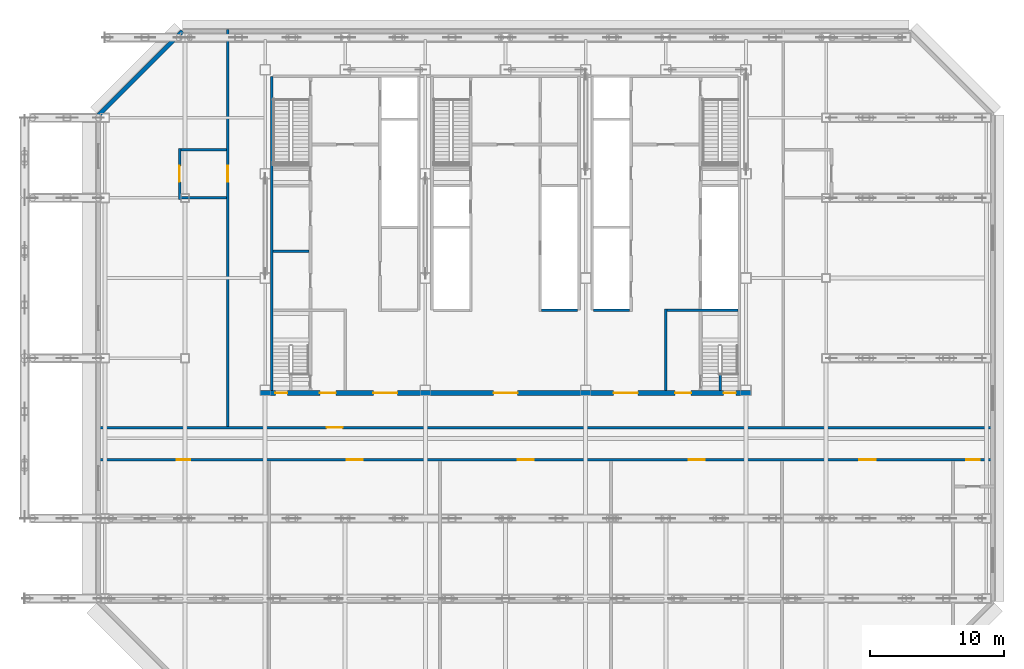
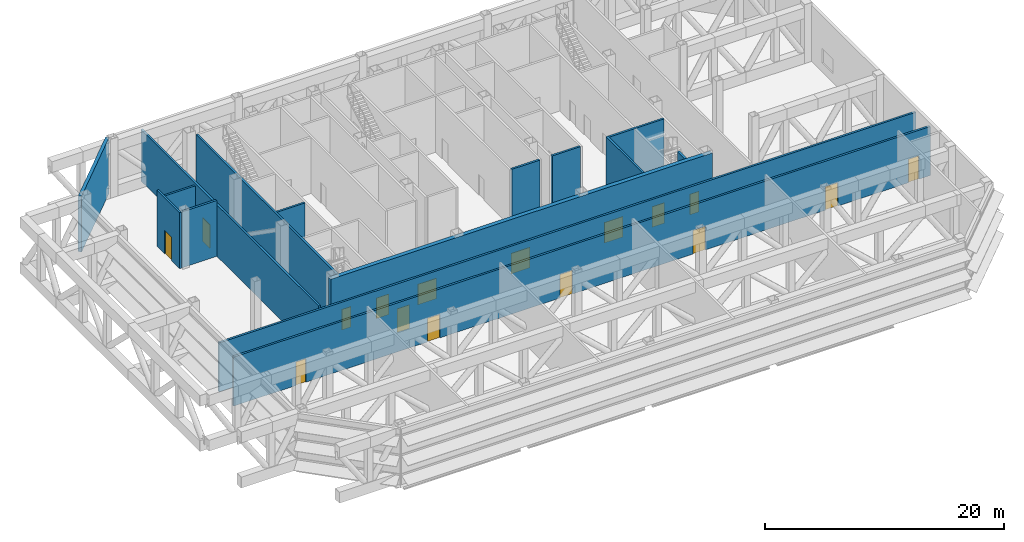
# One storey, part 6 of 17: 16 doors, 15 walls, 16 openings.
"""IFC4 building model written with IfcOpenShell, lengths in metres."""

from ifc_helpers import new_model, si_unit, direction, frame, frame_2d, origin, place, context, subcontext, project, spatial, rectangle, extrude, material, layer, layer_set, type_object, element, fill, save


model = new_model("IFC4")

# Units and contexts
model_context = context("Model", 3, precision=1e-05, world=origin(), true_north=direction((0.0, 1.0)))
body_context = subcontext(model_context, "Body", "Model", "MODEL_VIEW")
ifc_project = project(units=[si_unit("LENGTHUNIT", "METRE"), si_unit("AREAUNIT", "SQUARE_METRE"), si_unit("VOLUMEUNIT", "CUBIC_METRE"), si_unit("PLANEANGLEUNIT", "RADIAN"), si_unit("MASSUNIT", "GRAM", prefix="KILO")], contexts=[model_context])

# Site, building, storey
site_placement = place(None, origin())
site = spatial("IfcSite", under=ifc_project, at=site_placement, CompositionType="ELEMENT")
building_placement = place(site_placement, origin())
building = spatial("IfcBuilding", under=site, at=building_placement, Name="Sorahane Residences", CompositionType="ELEMENT")
storey_placement = place(building_placement, frame((0.0, 0.0, 186.0)))
storey = spatial("IfcBuildingStorey", under=building, at=storey_placement, Name="L43", CompositionType="ELEMENT", Elevation=186.0)

# Wall
ifc_material_1 = material(Name="Concrete C30", Category="concrete")
ifc_layer_1 = layer(ifc_material_1, 0.199951171875)
ifc_layer_set_1 = layer_set([ifc_layer_1], Name="Core face wall 200 EI 180")
wall_type_1 = type_object("IfcWallType", Name="Core face wall 200 EI 180", PredefinedType="SOLIDWALL", material=ifc_layer_set_1)
wall_1_placement = place(storey_placement, frame((6.5, 21.60009765625, 0.0), z_axis=(0.0, 0.0, 1.0), x_axis=(0.0, 1.0, 0.0)))
element("IfcWall", 1, at=wall_1_placement, inside=storey, type_object=wall_type_1, Name="L43 core face wall", PredefinedType="SOLIDWALL", context=body_context, shape_type="SweptSolid", body=[
    extrude(rectangle(XDim=23.5, YDim=0.199951171875, at=frame_2d((11.75, 0.0))), origin(), (0.0, 0.0, 1.0), 5.699951171875),
])

# Wall, opening, door
ifc_material_2 = material(Name="Concrete blockwork C20 wall", Category="masonry")
ifc_layer_2 = layer(ifc_material_2, 0.199951171875)
ifc_layer_set_2 = layer_set([ifc_layer_2], Name="Corridor wall 200 EI 120")
wall_type_2 = type_object("IfcWallType", Name="Corridor wall 200 EI 120", PredefinedType="SOLIDWALL", material=ifc_layer_set_2)
wall_2_placement = place(storey_placement, frame((-6.60009765625, 18.800048828125, 0.0), z_axis=(0.0, 0.0, 1.0), x_axis=(1.0, 0.0, 0.0)))
wall_2 = element("IfcWall", 2, at=wall_2_placement, inside=storey, type_object=wall_type_2, Name="L43 corridor wall", PredefinedType="SOLIDWALL", context=body_context, shape_type="SweptSolid", body=[
    extrude(rectangle(XDim=67.2001953125, YDim=0.199951171875, at=frame_2d((33.60009765625, 0.0))), origin(), (0.0, 0.0, 1.0), 5.0),
])
opening_1_placement = place(wall_2_placement, frame((17.199951171875, 0.0, 0.0)))
opening_1 = element("IfcOpeningElement", 3, at=opening_1_placement, cuts=wall_2, Name="Opening L43-08", PredefinedType="OPENING", context=body_context, shape_type="SweptSolid", body=[
    extrude(rectangle(XDim=1.199951171875, YDim=2.39990234375, at=frame_2d((0.60009765625, 1.199951171875))), frame((0.0, 0.10986328125, 0.0), z_axis=(0.0, -1.0, 0.0), x_axis=(1.0, 0.0, 0.0)), (0.0, 0.0, 1.0), 0.219970703125),
])
ifc_material_3 = material(Name="Steel", Category="steel")
door_type_1 = type_object("IfcDoorType", Name="Lobby door 1200x2400 FD60", OperationType="NOTDEFINED", PredefinedType="DOOR", material=ifc_material_3)
door_1_placement = place(opening_1_placement, frame((1.199951171875, 0.0, 0.0), z_axis=(0.0, 0.0, 1.0), x_axis=(-1.0, 0.0, 0.0)))
door_1 = element("IfcDoor", 4, at=door_1_placement, inside=storey, type_object=door_type_1, Name="Lobby door L43-08", OperationType="SINGLE_SWING_LEFT", OverallHeight=2.39990234375, OverallWidth=1.199951171875, PredefinedType="DOOR", context=body_context, shape_type="SweptSolid", body=[
    extrude(rectangle(XDim=1.199951171875, YDim=2.39990234375, at=frame_2d((0.60009765625, 1.199951171875))), frame((0.0, 0.02490234375, 0.0), z_axis=(0.0, -1.0, 0.0), x_axis=(1.0, 0.0, 0.0)), (0.0, 0.0, 1.0), 0.050048828125),
])
fill(opening_1, door_1)

# Wall
ifc_material_4 = material(Name="Graphite insulated metal-clad wall")
ifc_layer_3 = layer(ifc_material_4, 0.300048828125)
ifc_layer_set_3 = layer_set([ifc_layer_3], Name="External wall insulated metal-clad 300")
wall_type_3 = type_object("IfcWallType", Name="External wall insulated metal-clad 300", PredefinedType="SOLIDWALL", material=ifc_layer_set_3)
wall_3_placement = place(storey_placement, frame((-0.194580078125, 48.469970703125, 0.0), z_axis=(0.0, 0.0, 1.0), x_axis=(-0.707106781187, -0.707106781187, 0.0)))
element("IfcWall", 5, at=wall_3_placement, inside=storey, type_object=wall_type_3, Name="External plant wall L43 NW1", PredefinedType="SOLIDWALL", context=body_context, shape_type="SweptSolid", body=[
    extrude(rectangle(XDim=8.874755859375, YDim=0.300048828125, at=frame_2d((4.4375, 0.0))), origin(), (0.0, 0.0, 1.0), 5.699951171875),
])

# Wall, opening, door
ifc_material_5 = material(Name="Concrete blockwork C20 wall", Category="masonry")
ifc_layer_4 = layer(ifc_material_5, 0.199951171875)
ifc_layer_set_4 = layer_set([ifc_layer_4], Name="Fire wall 200 EI 120")
wall_type_4 = type_object("IfcWallType", Name="Fire wall 200 EI 120", PredefinedType="SOLIDWALL", material=ifc_layer_set_4)
wall_4_placement = place(storey_placement, frame((-0.39990234375, 35.89990234375, 0.0), z_axis=(0.0, 0.0, 1.0), x_axis=(0.0, 1.0, 0.0)))
wall_4 = element("IfcWall", 6, at=wall_4_placement, inside=storey, type_object=wall_type_4, Name="L43 fire wall", PredefinedType="SOLIDWALL", context=body_context, shape_type="SweptSolid", body=[
    extrude(rectangle(XDim=3.800048828125, YDim=0.199951171875, at=frame_2d((1.89990234375, 0.0))), origin(), (0.0, 0.0, 1.0), 5.699951171875),
])
opening_2_placement = place(wall_4_placement, frame((1.300048828125, 0.0, 0.0)))
opening_2 = element("IfcOpeningElement", 7, at=opening_2_placement, cuts=wall_4, Name="Opening L43-11", PredefinedType="OPENING", context=body_context, shape_type="SweptSolid", body=[
    extrude(rectangle(XDim=1.199951171875, YDim=2.39990234375, at=frame_2d((0.60009765625, 1.199951171875))), frame((0.0, 0.10986328125, 0.0), z_axis=(0.0, -1.0, 0.0), x_axis=(1.0, 0.0, 0.0)), (0.0, 0.0, 1.0), 0.219970703125),
])
door_2_placement = place(opening_2_placement, frame((1.199951171875, 0.0, 0.0), z_axis=(0.0, 0.0, 1.0), x_axis=(-1.0, 0.0, 0.0)))
door_2 = element("IfcDoor", 8, at=door_2_placement, inside=storey, type_object=door_type_1, Name="Lobby door L43-11", OperationType="SINGLE_SWING_RIGHT", OverallHeight=2.39990234375, OverallWidth=1.199951171875, PredefinedType="DOOR", context=body_context, shape_type="SweptSolid", body=[
    extrude(rectangle(XDim=1.199951171875, YDim=2.39990234375, at=frame_2d((0.60009765625, 1.199951171875))), frame((0.0, 0.02490234375, 0.0), z_axis=(0.0, -1.0, 0.0), x_axis=(1.0, 0.0, 0.0)), (0.0, 0.0, 1.0), 0.050048828125),
])
fill(opening_2, door_2)

wall_5_placement = place(storey_placement, frame((3.199951171875, 18.89990234375, 0.0), z_axis=(0.0, 0.0, 1.0), x_axis=(0.0, 1.0, 0.0)))
wall_5 = element("IfcWall", 9, at=wall_5_placement, inside=storey, type_object=wall_type_4, Name="L43 fire wall", PredefinedType="SOLIDWALL", context=body_context, shape_type="SweptSolid", body=[
    extrude(rectangle(XDim=29.7001953125, YDim=0.199951171875, at=frame_2d((14.85009765625, 0.0))), origin(), (0.0, 0.0, 1.0), 5.25),
])
opening_3_placement = place(wall_5_placement, frame((18.300048828125, 0.0, 0.0)))
opening_3 = element("IfcOpeningElement", 10, at=opening_3_placement, cuts=wall_5, Name="Opening L43-12", PredefinedType="OPENING", context=body_context, shape_type="SweptSolid", body=[
    extrude(rectangle(XDim=1.199951171875, YDim=2.39990234375, at=frame_2d((0.60009765625, 1.199951171875))), frame((0.0, 0.10986328125, 0.0), z_axis=(0.0, -1.0, 0.0), x_axis=(1.0, 0.0, 0.0)), (0.0, 0.0, 1.0), 0.219970703125),
])
door_3_placement = place(opening_3_placement, frame((1.199951171875, 0.0, 0.0), z_axis=(0.0, 0.0, 1.0), x_axis=(-1.0, 0.0, 0.0)))
door_3 = element("IfcDoor", 11, at=door_3_placement, inside=storey, type_object=door_type_1, Name="Lobby door L43-12", OperationType="SINGLE_SWING_LEFT", OverallHeight=2.39990234375, OverallWidth=1.199951171875, PredefinedType="DOOR", context=body_context, shape_type="SweptSolid", body=[
    extrude(rectangle(XDim=1.199951171875, YDim=2.39990234375, at=frame_2d((0.60009765625, 1.199951171875))), frame((0.0, 0.02490234375, 0.0), z_axis=(0.0, -1.0, 0.0), x_axis=(1.0, 0.0, 0.0)), (0.0, 0.0, 1.0), 0.050048828125),
])
fill(opening_3, door_3)

# Wall, openings, doors
wall_6_placement = place(storey_placement, frame((-6.60009765625, 16.39990234375, 0.0), z_axis=(0.0, 0.0, 1.0), x_axis=(1.0, 0.0, 0.0)))
wall_6 = element("IfcWall", 12, at=wall_6_placement, inside=storey, type_object=wall_type_4, Name="L43 fire wall", PredefinedType="SOLIDWALL", context=body_context, shape_type="SweptSolid", body=[
    extrude(rectangle(XDim=67.2001953125, YDim=0.199951171875, at=frame_2d((33.60009765625, 0.0))), origin(), (0.0, 0.0, 1.0), 5.0),
])
opening_4_placement = place(wall_6_placement, frame((6.0, 0.0, 0.0)))
opening_4 = element("IfcOpeningElement", 13, at=opening_4_placement, cuts=wall_6, Name="Opening L43-01", PredefinedType="OPENING", context=body_context, shape_type="SweptSolid", body=[
    extrude(rectangle(XDim=1.0, YDim=2.39990234375, at=frame_2d((0.5, 1.199951171875))), frame((0.0, 0.10986328125, 0.0), z_axis=(0.0, -1.0, 0.0), x_axis=(1.0, 0.0, 0.0)), (0.0, 0.0, 1.0), 0.219970703125),
])
opening_5_placement = place(wall_6_placement, frame((18.699951171875, 0.0, 0.0)))
opening_5 = element("IfcOpeningElement", 14, at=opening_5_placement, cuts=wall_6, Name="Opening L43-02", PredefinedType="OPENING", context=body_context, shape_type="SweptSolid", body=[
    extrude(rectangle(XDim=1.199951171875, YDim=2.39990234375, at=frame_2d((0.60009765625, 1.199951171875))), frame((0.0, 0.10986328125, 0.0), z_axis=(0.0, -1.0, 0.0), x_axis=(1.0, 0.0, 0.0)), (0.0, 0.0, 1.0), 0.219970703125),
])
opening_6_placement = place(wall_6_placement, frame((31.5, 0.0, 0.0)))
opening_6 = element("IfcOpeningElement", 15, at=opening_6_placement, cuts=wall_6, Name="Opening L43-03", PredefinedType="OPENING", context=body_context, shape_type="SweptSolid", body=[
    extrude(rectangle(XDim=1.199951171875, YDim=2.39990234375, at=frame_2d((0.60009765625, 1.199951171875))), frame((0.0, 0.10986328125, 0.0), z_axis=(0.0, -1.0, 0.0), x_axis=(1.0, 0.0, 0.0)), (0.0, 0.0, 1.0), 0.219970703125),
])
opening_7_placement = place(wall_6_placement, frame((44.300048828125, 0.0, 0.0)))
opening_7 = element("IfcOpeningElement", 16, at=opening_7_placement, cuts=wall_6, Name="Opening L43-04", PredefinedType="OPENING", context=body_context, shape_type="SweptSolid", body=[
    extrude(rectangle(XDim=1.199951171875, YDim=2.39990234375, at=frame_2d((0.60009765625, 1.199951171875))), frame((0.0, 0.10986328125, 0.0), z_axis=(0.0, -1.0, 0.0), x_axis=(1.0, 0.0, 0.0)), (0.0, 0.0, 1.0), 0.219970703125),
])
opening_8_placement = place(wall_6_placement, frame((57.10009765625, 0.0, 0.0)))
opening_8 = element("IfcOpeningElement", 17, at=opening_8_placement, cuts=wall_6, Name="Opening L43-05", PredefinedType="OPENING", context=body_context, shape_type="SweptSolid", body=[
    extrude(rectangle(XDim=1.199951171875, YDim=2.39990234375, at=frame_2d((0.60009765625, 1.199951171875))), frame((0.0, 0.10986328125, 0.0), z_axis=(0.0, -1.0, 0.0), x_axis=(1.0, 0.0, 0.0)), (0.0, 0.0, 1.0), 0.219970703125),
])
opening_9_placement = place(wall_6_placement, frame((65.10009765625, 0.0, 0.0)))
opening_9 = element("IfcOpeningElement", 18, at=opening_9_placement, cuts=wall_6, Name="Opening L43-06", PredefinedType="OPENING", context=body_context, shape_type="SweptSolid", body=[
    extrude(rectangle(XDim=1.0, YDim=2.39990234375, at=frame_2d((0.5, 1.199951171875))), frame((0.0, 0.10986328125, 0.0), z_axis=(0.0, -1.0, 0.0), x_axis=(1.0, 0.0, 0.0)), (0.0, 0.0, 1.0), 0.219970703125),
])
ifc_material_6 = material(Name="Steel", Category="steel")
door_type_2 = type_object("IfcDoorType", Name="Fire door 1000x2400 FD60", OperationType="NOTDEFINED", PredefinedType="DOOR", material=ifc_material_6)
door_4_placement = place(opening_4_placement, origin())
door_4 = element("IfcDoor", 19, at=door_4_placement, inside=storey, type_object=door_type_2, Name="Fire door L43-01", OperationType="SINGLE_SWING_LEFT", OverallHeight=2.39990234375, OverallWidth=1.0, PredefinedType="DOOR", context=body_context, shape_type="SweptSolid", body=[
    extrude(rectangle(XDim=1.0, YDim=2.39990234375, at=frame_2d((0.5, 1.199951171875))), frame((0.0, 0.02490234375, 0.0), z_axis=(0.0, -1.0, 0.0), x_axis=(1.0, 0.0, 0.0)), (0.0, 0.0, 1.0), 0.050048828125),
])
fill(opening_4, door_4)
door_5_placement = place(opening_9_placement, origin())
door_5 = element("IfcDoor", 20, at=door_5_placement, inside=storey, type_object=door_type_2, Name="Fire door L43-06", OperationType="SINGLE_SWING_RIGHT", OverallHeight=2.39990234375, OverallWidth=1.0, PredefinedType="DOOR", context=body_context, shape_type="SweptSolid", body=[
    extrude(rectangle(XDim=1.0, YDim=2.39990234375, at=frame_2d((0.5, 1.199951171875))), frame((0.0, 0.02490234375, 0.0), z_axis=(0.0, -1.0, 0.0), x_axis=(1.0, 0.0, 0.0)), (0.0, 0.0, 1.0), 0.050048828125),
])
fill(opening_9, door_5)
ifc_material_7 = material(Name="Steel", Category="steel")
door_type_3 = type_object("IfcDoorType", Name="Plant door 1200x2400 FD60", OperationType="NOTDEFINED", PredefinedType="DOOR", material=ifc_material_7)
door_6_placement = place(opening_5_placement, origin())
door_6 = element("IfcDoor", 21, at=door_6_placement, inside=storey, type_object=door_type_3, Name="Plant door L43-02", OperationType="SINGLE_SWING_RIGHT", OverallHeight=2.39990234375, OverallWidth=1.199951171875, PredefinedType="DOOR", context=body_context, shape_type="SweptSolid", body=[
    extrude(rectangle(XDim=1.199951171875, YDim=2.39990234375, at=frame_2d((0.60009765625, 1.199951171875))), frame((0.0, 0.02490234375, 0.0), z_axis=(0.0, -1.0, 0.0), x_axis=(1.0, 0.0, 0.0)), (0.0, 0.0, 1.0), 0.050048828125),
])
fill(opening_5, door_6)
door_7_placement = place(opening_6_placement, frame((1.199951171875, 0.0, 0.0), z_axis=(0.0, 0.0, 1.0), x_axis=(-1.0, 0.0, 0.0)))
door_7 = element("IfcDoor", 22, at=door_7_placement, inside=storey, type_object=door_type_3, Name="Plant door L43-03", OperationType="SINGLE_SWING_RIGHT", OverallHeight=2.39990234375, OverallWidth=1.199951171875, PredefinedType="DOOR", context=body_context, shape_type="SweptSolid", body=[
    extrude(rectangle(XDim=1.199951171875, YDim=2.39990234375, at=frame_2d((0.60009765625, 1.199951171875))), frame((0.0, 0.02490234375, 0.0), z_axis=(0.0, -1.0, 0.0), x_axis=(1.0, 0.0, 0.0)), (0.0, 0.0, 1.0), 0.050048828125),
])
fill(opening_6, door_7)
door_8_placement = place(opening_7_placement, frame((1.199951171875, 0.0, 0.0), z_axis=(0.0, 0.0, 1.0), x_axis=(-1.0, 0.0, 0.0)))
door_8 = element("IfcDoor", 23, at=door_8_placement, inside=storey, type_object=door_type_3, Name="Plant door L43-04", OperationType="SINGLE_SWING_LEFT", OverallHeight=2.39990234375, OverallWidth=1.199951171875, PredefinedType="DOOR", context=body_context, shape_type="SweptSolid", body=[
    extrude(rectangle(XDim=1.199951171875, YDim=2.39990234375, at=frame_2d((0.60009765625, 1.199951171875))), frame((0.0, 0.02490234375, 0.0), z_axis=(0.0, -1.0, 0.0), x_axis=(1.0, 0.0, 0.0)), (0.0, 0.0, 1.0), 0.050048828125),
])
fill(opening_7, door_8)
door_9_placement = place(opening_8_placement, origin())
door_9 = element("IfcDoor", 24, at=door_9_placement, inside=storey, type_object=door_type_3, Name="Plant door L43-05", OperationType="SINGLE_SWING_LEFT", OverallHeight=2.39990234375, OverallWidth=1.199951171875, PredefinedType="DOOR", context=body_context, shape_type="SweptSolid", body=[
    extrude(rectangle(XDim=1.199951171875, YDim=2.39990234375, at=frame_2d((0.60009765625, 1.199951171875))), frame((0.0, 0.02490234375, 0.0), z_axis=(0.0, -1.0, 0.0), x_axis=(1.0, 0.0, 0.0)), (0.0, 0.0, 1.0), 0.050048828125),
])
fill(opening_8, door_9)

# Walls
wall_7_placement = place(storey_placement, frame((-0.300048828125, 36.0, 0.0), z_axis=(0.0, 0.0, 1.0), x_axis=(1.0, 0.0, 0.0)))
element("IfcWall", 25, at=wall_7_placement, inside=storey, type_object=wall_type_4, Name="L43 fire wall", PredefinedType="SOLIDWALL", context=body_context, shape_type="SweptSolid", body=[
    extrude(rectangle(XDim=3.400146484375, YDim=0.199951171875, at=frame_2d((1.7001953125, 0.0))), origin(), (0.0, 0.0, 1.0), 5.699951171875),
])
wall_8_placement = place(storey_placement, frame((-0.300048828125, 39.60009765625, 0.0), z_axis=(0.0, 0.0, 1.0), x_axis=(1.0, 0.0, 0.0)))
element("IfcWall", 26, at=wall_8_placement, inside=storey, type_object=wall_type_4, Name="L43 fire wall", PredefinedType="SOLIDWALL", context=body_context, shape_type="SweptSolid", body=[
    extrude(rectangle(XDim=3.400146484375, YDim=0.199951171875, at=frame_2d((1.7001953125, 0.0))), origin(), (0.0, 0.0, 1.0), 5.0),
])
ifc_material_8 = material(Name="Concrete C30", Category="concrete")
ifc_layer_5 = layer(ifc_material_8, 0.199951171875)
ifc_layer_set_5 = layer_set([ifc_layer_5], Name="Front room wall 200 EI 120")
wall_type_5 = type_object("IfcWallType", Name="Front room wall 200 EI 120", PredefinedType="PARTITIONING", material=ifc_layer_set_5)
wall_9_placement = place(storey_placement, frame((36.0, 21.60009765625, 0.0), z_axis=(0.0, 0.0, 1.0), x_axis=(0.0, 1.0, 0.0)))
element("IfcWall", 27, at=wall_9_placement, inside=storey, type_object=wall_type_5, Name="L43 front room wall", PredefinedType="PARTITIONING", context=body_context, shape_type="SweptSolid", body=[
    extrude(rectangle(XDim=6.099853515625, YDim=0.199951171875, at=frame_2d((3.0498046875, 0.0))), origin(), (0.0, 0.0, 1.0), 5.699951171875),
])
ifc_material_9 = material(Name="Concrete C30", Category="concrete")
ifc_layer_6 = layer(ifc_material_9, 0.199951171875)
ifc_layer_set_6 = layer_set([ifc_layer_6], Name="Lift shaft wall 200 EI 120")
wall_type_6 = type_object("IfcWallType", Name="Lift shaft wall 200 EI 120", PredefinedType="SOLIDWALL", material=ifc_layer_set_6)
wall_10_placement = place(storey_placement, frame((30.60009765625, 27.60009765625, 0.0), z_axis=(0.0, 0.0, 1.0), x_axis=(1.0, 0.0, 0.0)))
element("IfcWall", 28, at=wall_10_placement, inside=storey, type_object=wall_type_6, Name="L43 lift shaft wall", PredefinedType="SOLIDWALL", context=body_context, shape_type="SweptSolid", body=[
    extrude(rectangle(XDim=2.699951171875, YDim=0.199951171875, at=frame_2d((1.35009765625, 0.0))), origin(), (0.0, 0.0, 1.0), 5.699951171875),
])
ifc_material_10 = material(Name="Concrete C30", Category="concrete")
ifc_layer_7 = layer(ifc_material_10, 0.199951171875)
ifc_layer_set_7 = layer_set([ifc_layer_7], Name="Riser shaft wall 200 EI 120")
wall_type_7 = type_object("IfcWallType", Name="Riser shaft wall 200 EI 120", PredefinedType="SOLIDWALL", material=ifc_layer_set_7)
wall_11_placement = place(storey_placement, frame((26.699951171875, 27.60009765625, 0.0), z_axis=(0.0, 0.0, 1.0), x_axis=(1.0, 0.0, 0.0)))
element("IfcWall", 29, at=wall_11_placement, inside=storey, type_object=wall_type_7, Name="L43 riser wall", PredefinedType="SOLIDWALL", context=body_context, shape_type="SweptSolid", body=[
    extrude(rectangle(XDim=2.699951171875, YDim=0.199951171875, at=frame_2d((1.35009765625, 0.0))), origin(), (0.0, 0.0, 1.0), 5.699951171875),
])
ifc_material_11 = material(Name="Concrete C30", Category="concrete")
ifc_layer_8 = layer(ifc_material_11, 0.199951171875)
ifc_layer_set_8 = layer_set([ifc_layer_8], Name="Service room partition 200 EI 60")
wall_type_8 = type_object("IfcWallType", Name="Service room partition 200 EI 60", PredefinedType="PARTITIONING", material=ifc_layer_set_8)
wall_12_placement = place(storey_placement, frame((6.60009765625, 32.0, 0.0), z_axis=(0.0, 0.0, 1.0), x_axis=(1.0, 0.0, 0.0)))
element("IfcWall", 30, at=wall_12_placement, inside=storey, type_object=wall_type_8, Name="L43 service room wall", PredefinedType="PARTITIONING", context=body_context, shape_type="SweptSolid", body=[
    extrude(rectangle(XDim=2.699951171875, YDim=0.199951171875, at=frame_2d((1.35009765625, 0.0))), origin(), (0.0, 0.0, 1.0), 5.699951171875),
])
ifc_material_12 = material(Name="Concrete C30", Category="concrete")
ifc_layer_9 = layer(ifc_material_12, 0.199951171875)
ifc_layer_set_9 = layer_set([ifc_layer_9], Name="Stair enclosure wall 200 EI 120")
wall_type_9 = type_object("IfcWallType", Name="Stair enclosure wall 200 EI 120", PredefinedType="SOLIDWALL", material=ifc_layer_set_9)
wall_13_placement = place(storey_placement, frame((40.074951171875, 21.60009765625, 0.0), z_axis=(0.0, 0.0, 1.0), x_axis=(0.0, 1.0, 0.0)))
element("IfcWall", 31, at=wall_13_placement, inside=storey, type_object=wall_type_9, Name="L43 stair enclosure wall", PredefinedType="SOLIDWALL", context=body_context, shape_type="SweptSolid", body=[
    extrude(rectangle(XDim=1.25, YDim=0.199951171875, at=frame_2d((0.625, 0.0))), origin(), (0.0, 0.0, 1.0), 5.699951171875),
])
wall_14_placement = place(storey_placement, frame((36.10009765625, 27.60009765625, 0.0), z_axis=(0.0, 0.0, 1.0), x_axis=(1.0, 0.0, 0.0)))
element("IfcWall", 32, at=wall_14_placement, inside=storey, type_object=wall_type_9, Name="L43 stair enclosure wall", PredefinedType="SOLIDWALL", context=body_context, shape_type="SweptSolid", body=[
    extrude(rectangle(XDim=5.2998046875, YDim=0.199951171875, at=frame_2d((2.64990234375, 0.0))), origin(), (0.0, 0.0, 1.0), 5.699951171875),
])

# Wall, openings, doors
ifc_material_13 = material(Name="Concrete C30", Category="concrete")
ifc_layer_10 = layer(ifc_material_13, 0.39990234375)
ifc_layer_set_10 = layer_set([ifc_layer_10], Name="Waiting hall wall 400 EI 120")
wall_type_10 = type_object("IfcWallType", Name="Waiting hall wall 400 EI 120", PredefinedType="SOLIDWALL", material=ifc_layer_set_10)
wall_15_placement = place(storey_placement, frame((5.60009765625, 21.39990234375, 0.0), z_axis=(0.0, 0.0, 1.0), x_axis=(1.0, 0.0, 0.0)))
wall_15 = element("IfcWall", 33, at=wall_15_placement, inside=storey, type_object=wall_type_10, Name="L43 waiting hall wall", PredefinedType="SOLIDWALL", context=body_context, shape_type="SweptSolid", body=[
    extrude(rectangle(XDim=36.7998046875, YDim=0.39990234375, at=frame_2d((18.39990234375, 0.0))), origin(), (0.0, 0.0, 1.0), 5.699951171875),
])
opening_10_placement = place(wall_15_placement, frame((8.5, 0.0, 0.0)))
opening_10 = element("IfcOpeningElement", 34, at=opening_10_placement, cuts=wall_15, Name="Opening L43-C01", PredefinedType="OPENING", context=body_context, shape_type="SweptSolid", body=[
    extrude(rectangle(XDim=1.800048828125, YDim=2.10009765625, at=frame_2d((0.89990234375, 1.050048828125))), frame((0.0, 0.2099609375, 0.0), z_axis=(0.0, -1.0, 0.0), x_axis=(1.0, 0.0, 0.0)), (0.0, 0.0, 1.0), 0.419921875),
])
opening_11_placement = place(wall_15_placement, frame((17.5, 0.0, 0.0)))
opening_11 = element("IfcOpeningElement", 35, at=opening_11_placement, cuts=wall_15, Name="Opening L43-C02", PredefinedType="OPENING", context=body_context, shape_type="SweptSolid", body=[
    extrude(rectangle(XDim=1.800048828125, YDim=2.10009765625, at=frame_2d((0.89990234375, 1.050048828125))), frame((0.0, 0.2099609375, 0.0), z_axis=(0.0, -1.0, 0.0), x_axis=(1.0, 0.0, 0.0)), (0.0, 0.0, 1.0), 0.419921875),
])
opening_12_placement = place(wall_15_placement, frame((26.5, 0.0, 0.0)))
opening_12 = element("IfcOpeningElement", 36, at=opening_12_placement, cuts=wall_15, Name="Opening L43-C03", PredefinedType="OPENING", context=body_context, shape_type="SweptSolid", body=[
    extrude(rectangle(XDim=1.800048828125, YDim=2.10009765625, at=frame_2d((0.89990234375, 1.050048828125))), frame((0.0, 0.2099609375, 0.0), z_axis=(0.0, -1.0, 0.0), x_axis=(1.0, 0.0, 0.0)), (0.0, 0.0, 1.0), 0.419921875),
])
opening_13_placement = place(wall_15_placement, frame((4.5, 0.0, 0.0)))
opening_13 = element("IfcOpeningElement", 37, at=opening_13_placement, cuts=wall_15, Name="Opening L43-C04", PredefinedType="OPENING", context=body_context, shape_type="SweptSolid", body=[
    extrude(rectangle(XDim=1.199951171875, YDim=2.10009765625, at=frame_2d((0.60009765625, 1.050048828125))), frame((0.0, 0.2099609375, 0.0), z_axis=(0.0, -1.0, 0.0), x_axis=(1.0, 0.0, 0.0)), (0.0, 0.0, 1.0), 0.419921875),
])
opening_14_placement = place(wall_15_placement, frame((31.10009765625, 0.0, 0.0)))
opening_14 = element("IfcOpeningElement", 38, at=opening_14_placement, cuts=wall_15, Name="Opening L43-C05", PredefinedType="OPENING", context=body_context, shape_type="SweptSolid", body=[
    extrude(rectangle(XDim=1.199951171875, YDim=2.10009765625, at=frame_2d((0.60009765625, 1.050048828125))), frame((0.0, 0.2099609375, 0.0), z_axis=(0.0, -1.0, 0.0), x_axis=(1.0, 0.0, 0.0)), (0.0, 0.0, 1.0), 0.419921875),
])
opening_15_placement = place(wall_15_placement, frame((1.16259765625, 0.0, 0.0)))
opening_15 = element("IfcOpeningElement", 39, at=opening_15_placement, cuts=wall_15, Name="Opening L43-C25", PredefinedType="OPENING", context=body_context, shape_type="SweptSolid", body=[
    extrude(rectangle(XDim=0.89990234375, YDim=2.10009765625, at=frame_2d((0.449951171875, 1.050048828125))), frame((0.0, 0.2099609375, 0.0), z_axis=(0.0, -1.0, 0.0), x_axis=(1.0, 0.0, 0.0)), (0.0, 0.0, 1.0), 0.419921875),
])
opening_16_placement = place(wall_15_placement, frame((34.737548828125, 0.0, 0.0)))
opening_16 = element("IfcOpeningElement", 40, at=opening_16_placement, cuts=wall_15, Name="Opening L43-C28", PredefinedType="OPENING", context=body_context, shape_type="SweptSolid", body=[
    extrude(rectangle(XDim=0.89990234375, YDim=2.10009765625, at=frame_2d((0.449951171875, 1.050048828125))), frame((0.0, 0.2099609375, 0.0), z_axis=(0.0, -1.0, 0.0), x_axis=(1.0, 0.0, 0.0)), (0.0, 0.0, 1.0), 0.419921875),
])
ifc_material_14 = material(Name="Steel", Category="steel")
door_type_4 = type_object("IfcDoorType", Name="Refuge stair door 900x2100 FD120", OperationType="NOTDEFINED", PredefinedType="DOOR", material=ifc_material_14)
door_10_placement = place(opening_15_placement, origin())
door_10 = element("IfcDoor", 41, at=door_10_placement, inside=storey, type_object=door_type_4, Name="Refuge stair door S4 L43", OperationType="SINGLE_SWING_LEFT", OverallHeight=2.10009765625, OverallWidth=0.89990234375, PredefinedType="DOOR", context=body_context, shape_type="SweptSolid", body=[
    extrude(rectangle(XDim=0.89990234375, YDim=2.10009765625, at=frame_2d((0.449951171875, 1.050048828125))), frame((0.0, 0.02490234375, 0.0), z_axis=(0.0, -1.0, 0.0), x_axis=(1.0, 0.0, 0.0)), (0.0, 0.0, 1.0), 0.050048828125),
])
fill(opening_15, door_10)
door_11_placement = place(opening_16_placement, origin())
door_11 = element("IfcDoor", 42, at=door_11_placement, inside=storey, type_object=door_type_4, Name="Refuge stair door S5 L43", OperationType="SINGLE_SWING_LEFT", OverallHeight=2.10009765625, OverallWidth=0.89990234375, PredefinedType="DOOR", context=body_context, shape_type="SweptSolid", body=[
    extrude(rectangle(XDim=0.89990234375, YDim=2.10009765625, at=frame_2d((0.449951171875, 1.050048828125))), frame((0.0, 0.02490234375, 0.0), z_axis=(0.0, -1.0, 0.0), x_axis=(1.0, 0.0, 0.0)), (0.0, 0.0, 1.0), 0.050048828125),
])
fill(opening_16, door_11)
ifc_material_15 = material(Name="Steel", Category="steel")
door_type_5 = type_object("IfcDoorType", Name="Stair front room door 1200x2100 FD120", OperationType="NOTDEFINED", PredefinedType="DOOR", material=ifc_material_15)
door_12_placement = place(opening_13_placement, frame((1.199951171875, 0.0, 0.0), z_axis=(0.0, 0.0, 1.0), x_axis=(-1.0, 0.0, 0.0)))
door_12 = element("IfcDoor", 43, at=door_12_placement, inside=storey, type_object=door_type_5, Name="Stair front room door Stair S4 front room L43", OperationType="SINGLE_SWING_LEFT", OverallHeight=2.10009765625, OverallWidth=1.199951171875, PredefinedType="DOOR", context=body_context, shape_type="SweptSolid", body=[
    extrude(rectangle(XDim=1.199951171875, YDim=2.10009765625, at=frame_2d((0.60009765625, 1.050048828125))), frame((0.0, 0.02490234375, 0.0), z_axis=(0.0, -1.0, 0.0), x_axis=(1.0, 0.0, 0.0)), (0.0, 0.0, 1.0), 0.050048828125),
])
fill(opening_13, door_12)
door_13_placement = place(opening_14_placement, frame((1.199951171875, 0.0, 0.0), z_axis=(0.0, 0.0, 1.0), x_axis=(-1.0, 0.0, 0.0)))
door_13 = element("IfcDoor", 44, at=door_13_placement, inside=storey, type_object=door_type_5, Name="Stair front room door Stair S5 front room L43", OperationType="SINGLE_SWING_LEFT", OverallHeight=2.10009765625, OverallWidth=1.199951171875, PredefinedType="DOOR", context=body_context, shape_type="SweptSolid", body=[
    extrude(rectangle(XDim=1.199951171875, YDim=2.10009765625, at=frame_2d((0.60009765625, 1.050048828125))), frame((0.0, 0.02490234375, 0.0), z_axis=(0.0, -1.0, 0.0), x_axis=(1.0, 0.0, 0.0)), (0.0, 0.0, 1.0), 0.050048828125),
])
fill(opening_14, door_13)
ifc_material_16 = material(Name="Steel", Category="steel")
door_type_6 = type_object("IfcDoorType", Name="Waiting hall door 1800x2100 FD60", OperationType="NOTDEFINED", PredefinedType="DOOR", material=ifc_material_16)
door_14_placement = place(opening_10_placement, frame((1.800048828125, 0.0, 0.0), z_axis=(0.0, 0.0, 1.0), x_axis=(-1.0, 0.0, 0.0)))
door_14 = element("IfcDoor", 45, at=door_14_placement, inside=storey, type_object=door_type_6, Name="Waiting hall door Residents' waiting hall L43", OperationType="SINGLE_SWING_LEFT", OverallHeight=2.10009765625, OverallWidth=1.800048828125, PredefinedType="DOOR", context=body_context, shape_type="SweptSolid", body=[
    extrude(rectangle(XDim=1.800048828125, YDim=2.10009765625, at=frame_2d((0.89990234375, 1.050048828125))), frame((0.0, 0.02490234375, 0.0), z_axis=(0.0, -1.0, 0.0), x_axis=(1.0, 0.0, 0.0)), (0.0, 0.0, 1.0), 0.050048828125),
])
fill(opening_10, door_14)
door_15_placement = place(opening_11_placement, frame((1.800048828125, 0.0, 0.0), z_axis=(0.0, 0.0, 1.0), x_axis=(-1.0, 0.0, 0.0)))
door_15 = element("IfcDoor", 46, at=door_15_placement, inside=storey, type_object=door_type_6, Name="Waiting hall door Residents' waiting hall L43", OperationType="SINGLE_SWING_LEFT", OverallHeight=2.10009765625, OverallWidth=1.800048828125, PredefinedType="DOOR", context=body_context, shape_type="SweptSolid", body=[
    extrude(rectangle(XDim=1.800048828125, YDim=2.10009765625, at=frame_2d((0.89990234375, 1.050048828125))), frame((0.0, 0.02490234375, 0.0), z_axis=(0.0, -1.0, 0.0), x_axis=(1.0, 0.0, 0.0)), (0.0, 0.0, 1.0), 0.050048828125),
])
fill(opening_11, door_15)
door_16_placement = place(opening_12_placement, frame((1.800048828125, 0.0, 0.0), z_axis=(0.0, 0.0, 1.0), x_axis=(-1.0, 0.0, 0.0)))
door_16 = element("IfcDoor", 47, at=door_16_placement, inside=storey, type_object=door_type_6, Name="Waiting hall door Residents' waiting hall L43", OperationType="SINGLE_SWING_LEFT", OverallHeight=2.10009765625, OverallWidth=1.800048828125, PredefinedType="DOOR", context=body_context, shape_type="SweptSolid", body=[
    extrude(rectangle(XDim=1.800048828125, YDim=2.10009765625, at=frame_2d((0.89990234375, 1.050048828125))), frame((0.0, 0.02490234375, 0.0), z_axis=(0.0, -1.0, 0.0), x_axis=(1.0, 0.0, 0.0)), (0.0, 0.0, 1.0), 0.050048828125),
])
fill(opening_12, door_16)

save(model, "model.ifc")
